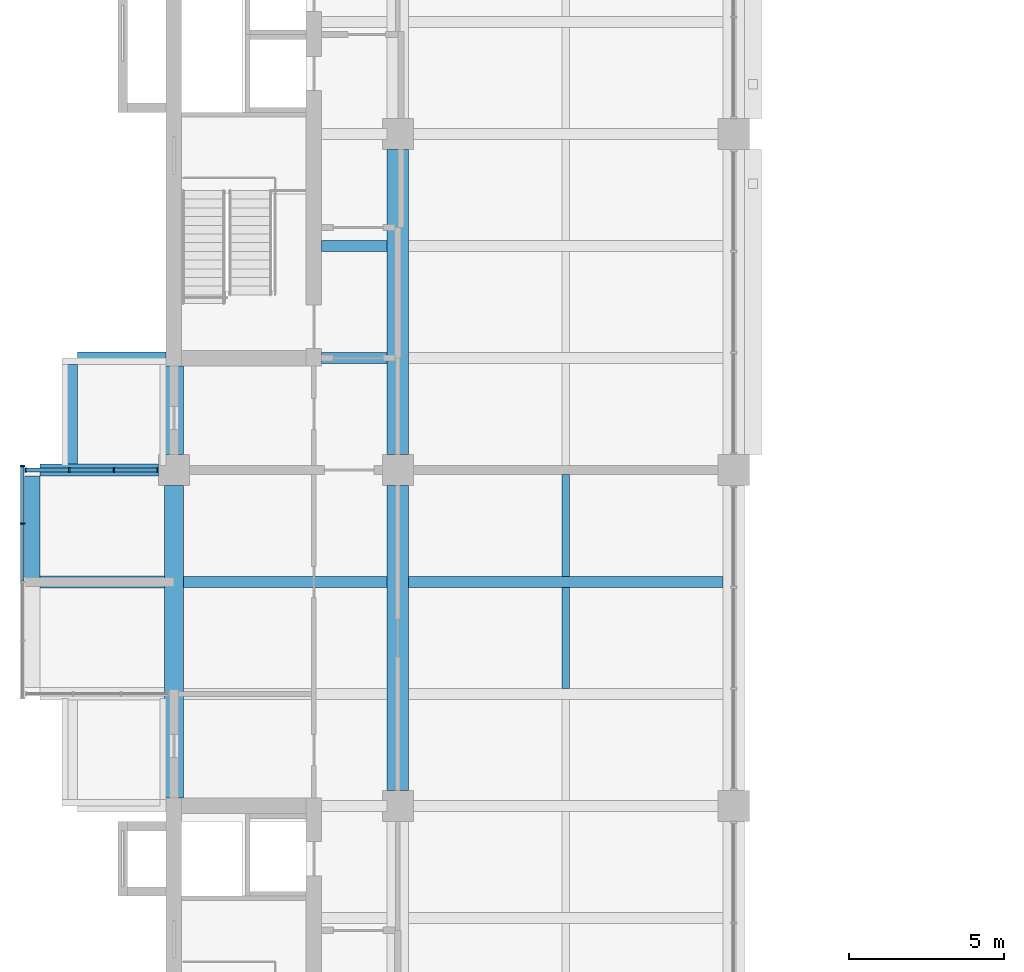
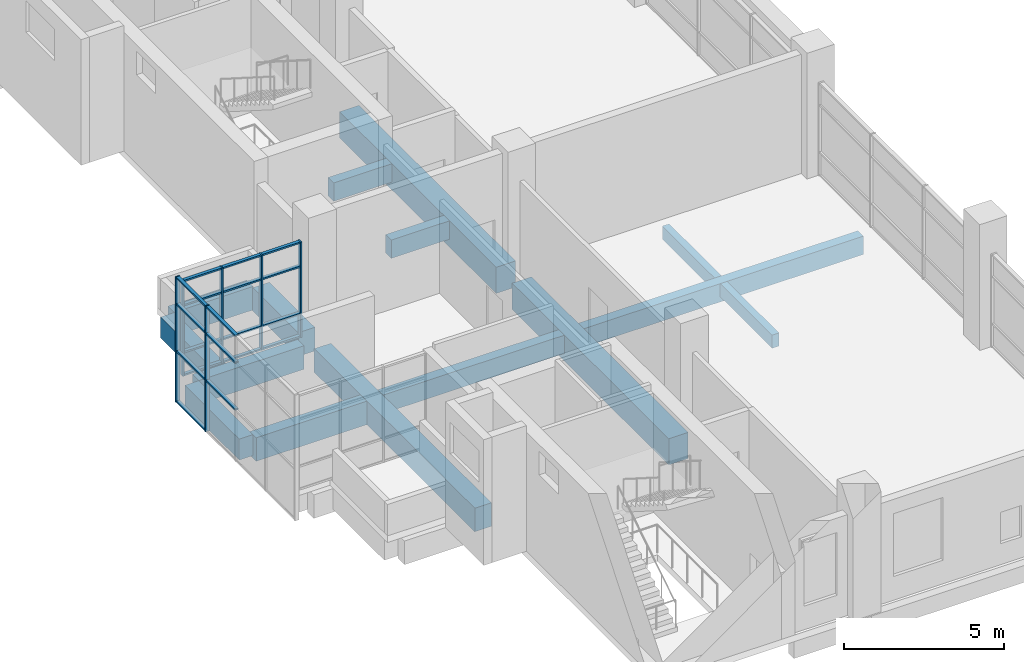
# One storey, part 3 of 44: 25 members, 15 beams, 2 elements without a shape of their own.
"""IFC4 building model written with IfcOpenShell, lengths in metres."""

from ifc_helpers import new_model, si_unit, direction, frame, origin, origin_2d, place, context, subcontext, project, spatial, rectangle, extrude, material, layer, layer_set, material_profile, profile_set, type_object, element, aggregate, save


model = new_model("IFC4")

# Units and contexts
model_context = context("Model", 3, precision=1e-05, world=origin(), true_north=direction((0.0, 1.0)))
body_context = subcontext(model_context, "Body", "Model", "MODEL_VIEW")
ifc_project = project(units=[si_unit("LENGTHUNIT", "METRE"), si_unit("AREAUNIT", "SQUARE_METRE"), si_unit("VOLUMEUNIT", "CUBIC_METRE"), si_unit("PLANEANGLEUNIT", "RADIAN"), si_unit("MASSUNIT", "GRAM", prefix="KILO")], contexts=[model_context])

# Site, building, storey
site_placement = place(None, origin())
site = spatial("IfcSite", under=ifc_project, at=site_placement, CompositionType="ELEMENT")
building_placement = place(site_placement, origin())
building = spatial("IfcBuilding", under=site, at=building_placement, Name="Basin Gate Institute", CompositionType="ELEMENT")
storey_placement = place(building_placement, frame((0.0, 0.0, 27.0)))
storey = spatial("IfcBuildingStorey", under=building, at=storey_placement, Name="L05", CompositionType="ELEMENT", Elevation=27.0)

# Beams
ifc_material_1 = material(Name="Concrete 40 MPa", Category="concrete")
ifc_material_profile_1 = material_profile(ifc_material_1, rectangle(XDim=0.35009765625, YDim=0.699951171875, at=origin_2d()), Name="Beam B1 350 x 700")
ifc_profile_set_1 = profile_set([ifc_material_profile_1], Name="Concrete 40 MPa")
beam_type_1 = type_object("IfcBeamType", Name="Beam B1 R120", PredefinedType="BEAM", material=ifc_profile_set_1)
beam_1_placement = place(storey_placement, frame((68.75, 53.10009765625, -0.60009765625), z_axis=(1.0, 0.0, 0.0), x_axis=(0.0, 1.0, 0.0)))
element("IfcBeam", 1, at=beam_1_placement, inside=storey, type_object=beam_type_1, material=ifc_profile_set_1, Name="BEAM/L05/W/EW/06", PredefinedType="BEAM", context=body_context, shape_type="SweptSolid", body=[
    extrude(rectangle(XDim=0.35009765625, YDim=0.699951171875, at=origin_2d()), origin(), (0.0, 0.0, 1.0), 10.10009765625),
])
beam_2_placement = place(storey_placement, frame((61.5, 53.10009765625, -0.60009765625), z_axis=(1.0, 0.0, 0.0), x_axis=(0.0, 1.0, 0.0)))
element("IfcBeam", 2, at=beam_2_placement, inside=storey, type_object=beam_type_1, material=ifc_profile_set_1, Name="BEAM/L05/W/OUT/06", PredefinedType="BEAM", context=body_context, shape_type="SweptSolid", body=[
    extrude(rectangle(XDim=0.35009765625, YDim=0.699951171875, at=origin_2d()), origin(), (0.0, 0.0, 1.0), 6.550048828125),
])
for number, where, z_axis, x_axis, name in (
    (3, (65.949951171875, 60.300048828125, -0.60009765625), (1.0, 0.0, 0.0), (0.0, 1.0, 0.0), "BEAM/L05/W/CORR/08"),
    (4, (65.949951171875, 63.89990234375, -0.60009765625), (1.0, 0.0, 0.0), (0.0, 1.0, 0.0), "BEAM/L05/W/CORR/09"),
):
    element("IfcBeam", number, at=place(storey_placement, frame(where, z_axis=z_axis, x_axis=x_axis)), inside=storey, type_object=beam_type_1, material=ifc_profile_set_1, Name=name, PredefinedType="BEAM", context=body_context, shape_type="SweptSolid", body=[
        extrude(rectangle(XDim=0.35009765625, YDim=0.699951171875, at=origin_2d()), origin(), (0.0, 0.0, 1.0), 2.10009765625),
    ])
ifc_material_2 = material(Name="Concrete 50 MPa", Category="concrete")
ifc_material_profile_2 = material_profile(ifc_material_2, rectangle(XDim=0.39990234375, YDim=0.89990234375, at=origin_2d()), Name="Cantilever beam B3 400 x 900")
ifc_profile_set_2 = profile_set([ifc_material_profile_2], Name="Concrete 50 MPa")
beam_type_2 = type_object("IfcBeamType", Name="Cantilever beam B3 R120", PredefinedType="BEAM", material=ifc_profile_set_2)
beam_3_placement = place(storey_placement, frame((56.89990234375, 53.10009765625, -0.699951171875), z_axis=(1.0, 0.0, 0.0), x_axis=(0.0, 1.0, 0.0)))
element("IfcBeam", 5, at=beam_3_placement, inside=storey, type_object=beam_type_2, material=ifc_profile_set_2, Name="BEAM/L05/W/CANT/06", PredefinedType="BEAM", context=body_context, shape_type="SweptSolid", body=[
    extrude(rectangle(XDim=0.39990234375, YDim=0.89990234375, at=origin_2d()), origin(), (0.0, 0.0, 1.0), 4.0),
])
beam_4_placement = place(storey_placement, frame((56.89990234375, 56.699951171875, -0.699951171875), z_axis=(1.0, 0.0, 0.0), x_axis=(0.0, 1.0, 0.0)))
element("IfcBeam", 6, at=beam_4_placement, inside=storey, type_object=beam_type_2, material=ifc_profile_set_2, Name="BEAM/L05/W/CANT/07", PredefinedType="BEAM", context=body_context, shape_type="SweptSolid", body=[
    extrude(rectangle(XDim=0.39990234375, YDim=0.89990234375, at=origin_2d()), origin(), (0.0, 0.0, 1.0), 3.800048828125),
])
beam_5_placement = place(storey_placement, frame((58.10009765625, 60.300048828125, -0.699951171875), z_axis=(1.0, 0.0, 0.0), x_axis=(0.0, 1.0, 0.0)))
element("IfcBeam", 7, at=beam_5_placement, inside=storey, type_object=beam_type_2, material=ifc_profile_set_2, Name="BEAM/L05/W/CANT/08", PredefinedType="BEAM", context=body_context, shape_type="SweptSolid", body=[
    extrude(rectangle(XDim=0.39990234375, YDim=0.89990234375, at=origin_2d()), origin(), (0.0, 0.0, 1.0), 2.849853515625),
])
ifc_material_3 = material(Name="Concrete 50 MPa", Category="concrete")
ifc_material_profile_3 = material_profile(ifc_material_3, rectangle(XDim=0.60009765625, YDim=0.89990234375, at=origin_2d()), Name="Edge beam EB1 600 x 900")
ifc_profile_set_3 = profile_set([ifc_material_profile_3], Name="Concrete 50 MPa")
beam_type_3 = type_object("IfcBeamType", Name="Edge beam EB1 R120", PredefinedType="SPANDREL", material=ifc_profile_set_3)
beam_6_placement = place(storey_placement, frame((61.199951171875, 46.14990234375, -0.699951171875), z_axis=(0.0, 1.0, 0.0), x_axis=(-1.0, 0.0, 0.0)))
element("IfcBeam", 8, at=beam_6_placement, inside=storey, type_object=beam_type_3, material=ifc_profile_set_3, Name="BEAM/L05/W/EDGE/1", PredefinedType="SPANDREL", context=body_context, shape_type="SweptSolid", body=[
    extrude(rectangle(XDim=0.60009765625, YDim=0.89990234375, at=origin_2d()), origin(), (0.0, 0.0, 1.0), 10.050048828125),
])
ifc_material_4 = material(Name="Concrete 50 MPa", Category="concrete")
ifc_material_profile_4 = material_profile(ifc_material_4, rectangle(XDim=0.60009765625, YDim=0.89990234375, at=origin_2d()), Name="Edge return beam EB3 600 x 900")
ifc_profile_set_4 = profile_set([ifc_material_profile_4], Name="Concrete 50 MPa")
beam_type_4 = type_object("IfcBeamType", Name="Edge return beam EB3 R120", PredefinedType="SPANDREL", material=ifc_profile_set_4)
beam_7_placement = place(storey_placement, frame((61.199951171875, 57.199951171875, -0.699951171875), z_axis=(0.0, 1.0, 0.0), x_axis=(-1.0, 0.0, 0.0)))
element("IfcBeam", 9, at=beam_7_placement, inside=storey, type_object=beam_type_4, material=ifc_profile_set_4, Name="BEAM/L05/W/EDGE/2", PredefinedType="SPANDREL", context=body_context, shape_type="SweptSolid", body=[
    extrude(rectangle(XDim=0.60009765625, YDim=0.89990234375, at=origin_2d()), origin(), (0.0, 0.0, 1.0), 2.85009765625),
])
ifc_material_5 = material(Name="Concrete 50 MPa", Category="concrete")
ifc_material_profile_5 = material_profile(ifc_material_5, rectangle(XDim=0.699951171875, YDim=1.0, at=origin_2d()), Name="Girder G1 700 x 1000")
ifc_profile_set_5 = profile_set([ifc_material_profile_5], Name="Concrete 50 MPa")
beam_type_5 = type_object("IfcBeamType", Name="Girder G1 R120", PredefinedType="BEAM", material=ifc_profile_set_5)
for number, where, z_axis, x_axis, name in (
    (10, (68.39990234375, 46.39990234375, -0.75), (0.0, 1.0, 0.0), (-1.0, 0.0, 0.0), "GIR/L05/W5/2"),
    (11, (68.39990234375, 57.199951171875, -0.75), (0.0, 1.0, 0.0), (-1.0, 0.0, 0.0), "GIR/L05/W5/3"),
):
    element("IfcBeam", number, at=place(storey_placement, frame(where, z_axis=z_axis, x_axis=x_axis)), inside=storey, type_object=beam_type_5, material=ifc_profile_set_5, Name=name, PredefinedType="BEAM", context=body_context, shape_type="SweptSolid", body=[
        extrude(rectangle(XDim=0.699951171875, YDim=1.0, at=origin_2d()), origin(), (0.0, 0.0, 1.0), 9.800048828125),
    ])

# Curtain wall, members
ifc_material_6 = material(Name="Aluminium-framed glazing", Category="aluminium")
ifc_layer = layer(ifc_material_6, 0.14990234375)
ifc_layer_set = layer_set([ifc_layer], Name="Capsule front curtain wall CW1")
curtain_wall_type = type_object("IfcCurtainWallType", Name="Capsule front curtain wall CW1", PredefinedType="NOTDEFINED", material=ifc_layer_set)
curtain_wall_1_placement = place(storey_placement, origin())
curtain_wall_1 = element("IfcCurtainWall", 12, at=curtain_wall_1_placement, inside=storey, type_object=curtain_wall_type, material=ifc_layer_set, Name="Capsule front curtain wall W wing capsule end L05 line 7", PredefinedType="NOTDEFINED")
ifc_material_7 = material(Name="Aluminium", Category="aluminium")
ifc_material_profile_6 = material_profile(ifc_material_7, rectangle(XDim=0.14990234375, YDim=0.050048828125, at=origin_2d()), Name="Mullion MU1 150 x 50")
ifc_profile_set_6 = profile_set([ifc_material_profile_6], Name="Aluminium")
member_type_1 = type_object("IfcMemberType", Name="Mullion MU1", PredefinedType="MULLION", material=ifc_profile_set_6)
member_1_placement = place(storey_placement, frame((56.425048828125, 56.699951171875, 0.0), z_axis=(0.0, 0.0, 1.0), x_axis=(0.0, 1.0, 0.0)))
member_1 = element("IfcMember", 13, at=member_1_placement, type_object=member_type_1, material=ifc_profile_set_6, Name="CW1 mullion 1", PredefinedType="MULLION", context=body_context, shape_type="SweptSolid", body=[
    extrude(rectangle(XDim=0.14990234375, YDim=0.050048828125, at=origin_2d()), origin(), (0.0, 0.0, 1.0), 3.64990234375),
])
member_2_placement = place(storey_placement, frame((57.833251953125, 56.699951171875, 0.0), z_axis=(0.0, 0.0, 1.0), x_axis=(0.0, 1.0, 0.0)))
member_2 = element("IfcMember", 14, at=member_2_placement, type_object=member_type_1, material=ifc_profile_set_6, Name="CW1 mullion 2", PredefinedType="MULLION", context=body_context, shape_type="SweptSolid", body=[
    extrude(rectangle(XDim=0.14990234375, YDim=0.050048828125, at=origin_2d()), origin(), (0.0, 0.0, 1.0), 3.64990234375),
])
member_3_placement = place(storey_placement, frame((59.2666015625, 56.699951171875, 0.0), z_axis=(0.0, 0.0, 1.0), x_axis=(0.0, 1.0, 0.0)))
member_3 = element("IfcMember", 15, at=member_3_placement, type_object=member_type_1, material=ifc_profile_set_6, Name="CW1 mullion 3", PredefinedType="MULLION", context=body_context, shape_type="SweptSolid", body=[
    extrude(rectangle(XDim=0.14990234375, YDim=0.050048828125, at=origin_2d()), origin(), (0.0, 0.0, 1.0), 3.64990234375),
])
member_4_placement = place(storey_placement, frame((60.675048828125, 56.699951171875, 0.0), z_axis=(0.0, 0.0, 1.0), x_axis=(0.0, 1.0, 0.0)))
member_4 = element("IfcMember", 16, at=member_4_placement, type_object=member_type_1, material=ifc_profile_set_6, Name="CW1 mullion 4", PredefinedType="MULLION", context=body_context, shape_type="SweptSolid", body=[
    extrude(rectangle(XDim=0.14990234375, YDim=0.050048828125, at=origin_2d()), origin(), (0.0, 0.0, 1.0), 3.64990234375),
])

curtain_wall_2_placement = place(storey_placement, origin())
curtain_wall_2 = element("IfcCurtainWall", 17, at=curtain_wall_2_placement, inside=storey, type_object=curtain_wall_type, material=ifc_layer_set, Name="Capsule front curtain wall W wing capsule 1 L05 front 2", PredefinedType="NOTDEFINED")
member_5_placement = place(storey_placement, frame((56.324951171875, 54.97509765625, -1.050048828125), z_axis=(0.0, 0.0, 1.0), x_axis=(-1.0, 0.0, 0.0)))
member_5 = element("IfcMember", 18, at=member_5_placement, type_object=member_type_1, material=ifc_profile_set_6, Name="CW1 mullion 4", PredefinedType="MULLION", context=body_context, shape_type="SweptSolid", body=[
    extrude(rectangle(XDim=0.14990234375, YDim=0.050048828125, at=origin_2d()), origin(), (0.0, 0.0, 1.0), 4.800048828125),
])
member_6_placement = place(storey_placement, frame((56.324951171875, 56.824951171875, -1.050048828125), z_axis=(0.0, 0.0, 1.0), x_axis=(-1.0, 0.0, 0.0)))
member_6 = element("IfcMember", 19, at=member_6_placement, type_object=member_type_1, material=ifc_profile_set_6, Name="CW1 mullion 5", PredefinedType="MULLION", context=body_context, shape_type="SweptSolid", body=[
    extrude(rectangle(XDim=0.14990234375, YDim=0.050048828125, at=origin_2d()), origin(), (0.0, 0.0, 1.0), 4.800048828125),
])

# Beams
ifc_material_8 = material(Name="Concrete 40 MPa", Category="concrete")
ifc_material_profile_7 = material_profile(ifc_material_8, rectangle(XDim=0.25, YDim=0.5, at=origin_2d()), Name="Rib R1 250 x 500")
ifc_profile_set_7 = profile_set([ifc_material_profile_7], Name="Concrete 40 MPa")
beam_type_6 = type_object("IfcBeamType", Name="Rib R1 R120", PredefinedType="JOIST", material=ifc_profile_set_7)
beam_8_placement = place(storey_placement, frame((73.800048828125, 49.675048828125, -0.5), z_axis=(0.0, 1.0, 0.0), x_axis=(-1.0, 0.0, 0.0)))
element("IfcBeam", 20, at=beam_8_placement, inside=storey, type_object=beam_type_6, material=ifc_profile_set_7, Name="BEAM/L05/W/RIB/05", PredefinedType="JOIST", context=body_context, shape_type="SweptSolid", body=[
    extrude(rectangle(XDim=0.25, YDim=0.5, at=origin_2d()), origin(), (0.0, 0.0, 1.0), 3.25),
])
beam_9_placement = place(storey_placement, frame((73.800048828125, 53.27490234375, -0.5), z_axis=(0.0, 1.0, 0.0), x_axis=(-1.0, 0.0, 0.0)))
element("IfcBeam", 21, at=beam_9_placement, inside=storey, type_object=beam_type_6, material=ifc_profile_set_7, Name="BEAM/L05/W/RIB/06", PredefinedType="JOIST", context=body_context, shape_type="SweptSolid", body=[
    extrude(rectangle(XDim=0.25, YDim=0.5, at=origin_2d()), origin(), (0.0, 0.0, 1.0), 3.275146484375),
])
ifc_material_9 = material(Name="Concrete 50 MPa", Category="concrete")
ifc_material_profile_8 = material_profile(ifc_material_9, rectangle(XDim=0.5, YDim=0.800048828125, at=origin_2d()), Name="Tip beam TB1 500 x 800")
ifc_profile_set_8 = profile_set([ifc_material_profile_8], Name="Concrete 50 MPa")
beam_type_7 = type_object("IfcBeamType", Name="Tip beam TB1 R120", PredefinedType="SPANDREL", material=ifc_profile_set_8)
beam_10_placement = place(storey_placement, frame((56.64990234375, 53.10009765625, -0.64990234375), z_axis=(0.0, 1.0, 0.0), x_axis=(-1.0, 0.0, 0.0)))
element("IfcBeam", 22, at=beam_10_placement, inside=storey, type_object=beam_type_7, material=ifc_profile_set_8, Name="BEAM/L05/W/TIP/3", PredefinedType="SPANDREL", context=body_context, shape_type="SweptSolid", body=[
    extrude(rectangle(XDim=0.5, YDim=0.800048828125, at=origin_2d()), origin(), (0.0, 0.0, 1.0), 3.39990234375),
])
beam_11_placement = place(storey_placement, frame((57.85009765625, 56.89990234375, -0.64990234375), z_axis=(0.0, 1.0, 0.0), x_axis=(-1.0, 0.0, 0.0)))
element("IfcBeam", 23, at=beam_11_placement, inside=storey, type_object=beam_type_7, material=ifc_profile_set_8, Name="BEAM/L05/W/TIP/4", PredefinedType="SPANDREL", context=body_context, shape_type="SweptSolid", body=[
    extrude(rectangle(XDim=0.5, YDim=0.800048828125, at=origin_2d()), origin(), (0.0, 0.0, 1.0), 3.2001953125),
])

# Member
ifc_material_10 = material(Name="Aluminium", Category="aluminium")
ifc_material_profile_9 = material_profile(ifc_material_10, rectangle(XDim=0.1201171875, YDim=0.06005859375, at=origin_2d()), Name="Transom TR1 120 x 60")
ifc_profile_set_9 = profile_set([ifc_material_profile_9], Name="Aluminium")
member_type_2 = type_object("IfcMemberType", Name="Transom TR1", PredefinedType="USERDEFINED", material=ifc_profile_set_9)
member_7_placement = place(storey_placement, frame((56.449951171875, 56.699951171875, 0.030029296875), z_axis=(1.0, 0.0, 0.0), x_axis=(0.0, 1.0, 0.0)))
member_7 = element("IfcMember", 24, at=member_7_placement, type_object=member_type_2, material=ifc_profile_set_9, Name="CW1 transom 1.1", ObjectType="TRANSOM", PredefinedType="USERDEFINED", context=body_context, shape_type="SweptSolid", body=[
    extrude(rectangle(XDim=0.1201171875, YDim=0.06005859375, at=origin_2d()), origin(), (0.0, 0.0, 1.0), 1.3583984375),
])

member_8_placement = place(storey_placement, frame((56.449951171875, 56.699951171875, 0.89990234375), z_axis=(1.0, 0.0, 0.0), x_axis=(0.0, 1.0, 0.0)))
member_8 = element("IfcMember", 25, at=member_8_placement, type_object=member_type_2, material=ifc_profile_set_9, Name="CW1 transom 1.2", ObjectType="TRANSOM", PredefinedType="USERDEFINED", context=body_context, shape_type="SweptSolid", body=[
    extrude(rectangle(XDim=0.1201171875, YDim=0.06005859375, at=origin_2d()), origin(), (0.0, 0.0, 1.0), 1.3583984375),
])

member_9_placement = place(storey_placement, frame((56.449951171875, 56.699951171875, 2.699951171875), z_axis=(1.0, 0.0, 0.0), x_axis=(0.0, 1.0, 0.0)))
member_9 = element("IfcMember", 26, at=member_9_placement, type_object=member_type_2, material=ifc_profile_set_9, Name="CW1 transom 1.3", ObjectType="TRANSOM", PredefinedType="USERDEFINED", context=body_context, shape_type="SweptSolid", body=[
    extrude(rectangle(XDim=0.1201171875, YDim=0.06005859375, at=origin_2d()), origin(), (0.0, 0.0, 1.0), 1.3583984375),
])

member_10_placement = place(storey_placement, frame((56.449951171875, 56.699951171875, 3.6201171875), z_axis=(1.0, 0.0, 0.0), x_axis=(0.0, 1.0, 0.0)))
member_10 = element("IfcMember", 27, at=member_10_placement, type_object=member_type_2, material=ifc_profile_set_9, Name="CW1 transom 1.4", ObjectType="TRANSOM", PredefinedType="USERDEFINED", context=body_context, shape_type="SweptSolid", body=[
    extrude(rectangle(XDim=0.1201171875, YDim=0.06005859375, at=origin_2d()), origin(), (0.0, 0.0, 1.0), 1.3583984375),
])

member_11_placement = place(storey_placement, frame((57.8583984375, 56.699951171875, 0.030029296875), z_axis=(1.0, 0.0, 0.0), x_axis=(0.0, 1.0, 0.0)))
member_11 = element("IfcMember", 28, at=member_11_placement, type_object=member_type_2, material=ifc_profile_set_9, Name="CW1 transom 2.1", ObjectType="TRANSOM", PredefinedType="USERDEFINED", context=body_context, shape_type="SweptSolid", body=[
    extrude(rectangle(XDim=0.1201171875, YDim=0.06005859375, at=origin_2d()), origin(), (0.0, 0.0, 1.0), 1.38330078125),
])

member_12_placement = place(storey_placement, frame((57.8583984375, 56.699951171875, 0.89990234375), z_axis=(1.0, 0.0, 0.0), x_axis=(0.0, 1.0, 0.0)))
member_12 = element("IfcMember", 29, at=member_12_placement, type_object=member_type_2, material=ifc_profile_set_9, Name="CW1 transom 2.2", ObjectType="TRANSOM", PredefinedType="USERDEFINED", context=body_context, shape_type="SweptSolid", body=[
    extrude(rectangle(XDim=0.1201171875, YDim=0.06005859375, at=origin_2d()), origin(), (0.0, 0.0, 1.0), 1.38330078125),
])

member_13_placement = place(storey_placement, frame((57.8583984375, 56.699951171875, 2.699951171875), z_axis=(1.0, 0.0, 0.0), x_axis=(0.0, 1.0, 0.0)))
member_13 = element("IfcMember", 30, at=member_13_placement, type_object=member_type_2, material=ifc_profile_set_9, Name="CW1 transom 2.3", ObjectType="TRANSOM", PredefinedType="USERDEFINED", context=body_context, shape_type="SweptSolid", body=[
    extrude(rectangle(XDim=0.1201171875, YDim=0.06005859375, at=origin_2d()), origin(), (0.0, 0.0, 1.0), 1.38330078125),
])

member_14_placement = place(storey_placement, frame((57.8583984375, 56.699951171875, 3.6201171875), z_axis=(1.0, 0.0, 0.0), x_axis=(0.0, 1.0, 0.0)))
member_14 = element("IfcMember", 31, at=member_14_placement, type_object=member_type_2, material=ifc_profile_set_9, Name="CW1 transom 2.4", ObjectType="TRANSOM", PredefinedType="USERDEFINED", context=body_context, shape_type="SweptSolid", body=[
    extrude(rectangle(XDim=0.1201171875, YDim=0.06005859375, at=origin_2d()), origin(), (0.0, 0.0, 1.0), 1.38330078125),
])

member_15_placement = place(storey_placement, frame((59.291748046875, 56.699951171875, 0.030029296875), z_axis=(1.0, 0.0, 0.0), x_axis=(0.0, 1.0, 0.0)))
member_15 = element("IfcMember", 32, at=member_15_placement, type_object=member_type_2, material=ifc_profile_set_9, Name="CW1 transom 3.1", ObjectType="TRANSOM", PredefinedType="USERDEFINED", context=body_context, shape_type="SweptSolid", body=[
    extrude(rectangle(XDim=0.1201171875, YDim=0.06005859375, at=origin_2d()), origin(), (0.0, 0.0, 1.0), 1.358154296875),
])

member_16_placement = place(storey_placement, frame((59.291748046875, 56.699951171875, 0.89990234375), z_axis=(1.0, 0.0, 0.0), x_axis=(0.0, 1.0, 0.0)))
member_16 = element("IfcMember", 33, at=member_16_placement, type_object=member_type_2, material=ifc_profile_set_9, Name="CW1 transom 3.2", ObjectType="TRANSOM", PredefinedType="USERDEFINED", context=body_context, shape_type="SweptSolid", body=[
    extrude(rectangle(XDim=0.1201171875, YDim=0.06005859375, at=origin_2d()), origin(), (0.0, 0.0, 1.0), 1.358154296875),
])

member_17_placement = place(storey_placement, frame((59.291748046875, 56.699951171875, 2.699951171875), z_axis=(1.0, 0.0, 0.0), x_axis=(0.0, 1.0, 0.0)))
member_17 = element("IfcMember", 34, at=member_17_placement, type_object=member_type_2, material=ifc_profile_set_9, Name="CW1 transom 3.3", ObjectType="TRANSOM", PredefinedType="USERDEFINED", context=body_context, shape_type="SweptSolid", body=[
    extrude(rectangle(XDim=0.1201171875, YDim=0.06005859375, at=origin_2d()), origin(), (0.0, 0.0, 1.0), 1.358154296875),
])

member_18_placement = place(storey_placement, frame((59.291748046875, 56.699951171875, 3.6201171875), z_axis=(1.0, 0.0, 0.0), x_axis=(0.0, 1.0, 0.0)))
member_18 = element("IfcMember", 35, at=member_18_placement, type_object=member_type_2, material=ifc_profile_set_9, Name="CW1 transom 3.4", ObjectType="TRANSOM", PredefinedType="USERDEFINED", context=body_context, shape_type="SweptSolid", body=[
    extrude(rectangle(XDim=0.1201171875, YDim=0.06005859375, at=origin_2d()), origin(), (0.0, 0.0, 1.0), 1.358154296875),
])

aggregate(curtain_wall_1, [member_1, member_2, member_3, member_4, member_7, member_8, member_9, member_10, member_11, member_12, member_13, member_14, member_15, member_16, member_17, member_18])

member_19_placement = place(storey_placement, frame((56.324951171875, 53.125, 0.89990234375), z_axis=(0.0, 1.0, 0.0), x_axis=(-1.0, 0.0, 0.0)))
member_19 = element("IfcMember", 36, at=member_19_placement, type_object=member_type_2, material=ifc_profile_set_9, Name="CW1 transom 3.2", ObjectType="TRANSOM", PredefinedType="USERDEFINED", context=body_context, shape_type="SweptSolid", body=[
    extrude(rectangle(XDim=0.1201171875, YDim=0.06005859375, at=origin_2d()), origin(), (0.0, 0.0, 1.0), 1.824951171875),
])

member_20_placement = place(storey_placement, frame((56.324951171875, 53.125, 2.699951171875), z_axis=(0.0, 1.0, 0.0), x_axis=(-1.0, 0.0, 0.0)))
member_20 = element("IfcMember", 37, at=member_20_placement, type_object=member_type_2, material=ifc_profile_set_9, Name="CW1 transom 3.3", ObjectType="TRANSOM", PredefinedType="USERDEFINED", context=body_context, shape_type="SweptSolid", body=[
    extrude(rectangle(XDim=0.1201171875, YDim=0.06005859375, at=origin_2d()), origin(), (0.0, 0.0, 1.0), 1.824951171875),
])

member_21_placement = place(storey_placement, frame((56.324951171875, 53.125, 3.719970703125), z_axis=(0.0, 1.0, 0.0), x_axis=(-1.0, 0.0, 0.0)))
member_21 = element("IfcMember", 38, at=member_21_placement, type_object=member_type_2, material=ifc_profile_set_9, Name="CW1 transom 3.4", ObjectType="TRANSOM", PredefinedType="USERDEFINED", context=body_context, shape_type="SweptSolid", body=[
    extrude(rectangle(XDim=0.1201171875, YDim=0.06005859375, at=origin_2d()), origin(), (0.0, 0.0, 1.0), 1.824951171875),
])

member_22_placement = place(storey_placement, frame((56.324951171875, 55.0, -1.02001953125), z_axis=(0.0, 1.0, 0.0), x_axis=(-1.0, 0.0, 0.0)))
member_22 = element("IfcMember", 39, at=member_22_placement, type_object=member_type_2, material=ifc_profile_set_9, Name="CW1 transom 4.1", ObjectType="TRANSOM", PredefinedType="USERDEFINED", context=body_context, shape_type="SweptSolid", body=[
    extrude(rectangle(XDim=0.1201171875, YDim=0.06005859375, at=origin_2d()), origin(), (0.0, 0.0, 1.0), 1.800048828125),
])

member_23_placement = place(storey_placement, frame((56.324951171875, 55.0, 0.89990234375), z_axis=(0.0, 1.0, 0.0), x_axis=(-1.0, 0.0, 0.0)))
member_23 = element("IfcMember", 40, at=member_23_placement, type_object=member_type_2, material=ifc_profile_set_9, Name="CW1 transom 4.2", ObjectType="TRANSOM", PredefinedType="USERDEFINED", context=body_context, shape_type="SweptSolid", body=[
    extrude(rectangle(XDim=0.1201171875, YDim=0.06005859375, at=origin_2d()), origin(), (0.0, 0.0, 1.0), 1.800048828125),
])

member_24_placement = place(storey_placement, frame((56.324951171875, 55.0, 2.699951171875), z_axis=(0.0, 1.0, 0.0), x_axis=(-1.0, 0.0, 0.0)))
member_24 = element("IfcMember", 41, at=member_24_placement, type_object=member_type_2, material=ifc_profile_set_9, Name="CW1 transom 4.3", ObjectType="TRANSOM", PredefinedType="USERDEFINED", context=body_context, shape_type="SweptSolid", body=[
    extrude(rectangle(XDim=0.1201171875, YDim=0.06005859375, at=origin_2d()), origin(), (0.0, 0.0, 1.0), 1.800048828125),
])

member_25_placement = place(storey_placement, frame((56.324951171875, 55.0, 3.719970703125), z_axis=(0.0, 1.0, 0.0), x_axis=(-1.0, 0.0, 0.0)))
member_25 = element("IfcMember", 42, at=member_25_placement, type_object=member_type_2, material=ifc_profile_set_9, Name="CW1 transom 4.4", ObjectType="TRANSOM", PredefinedType="USERDEFINED", context=body_context, shape_type="SweptSolid", body=[
    extrude(rectangle(XDim=0.1201171875, YDim=0.06005859375, at=origin_2d()), origin(), (0.0, 0.0, 1.0), 1.800048828125),
])

aggregate(curtain_wall_2, [member_5, member_6, member_19, member_20, member_21, member_22, member_23, member_24, member_25])

save(model, "model.ifc")
